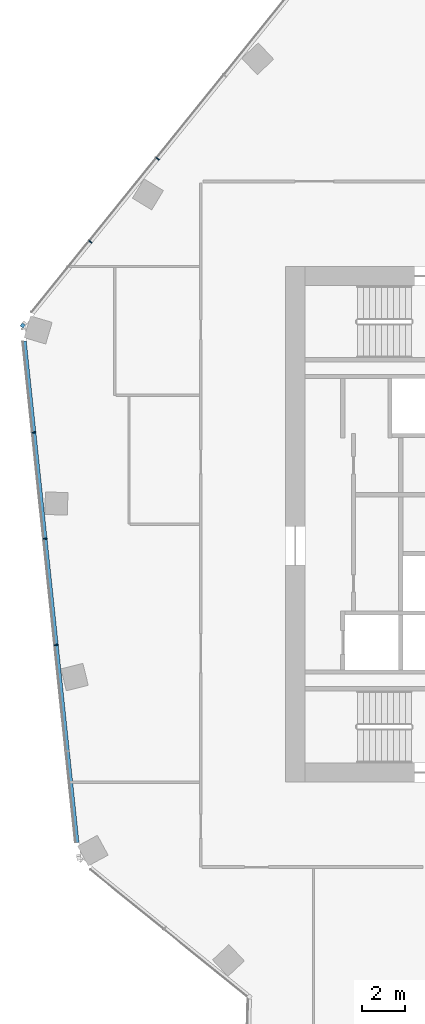
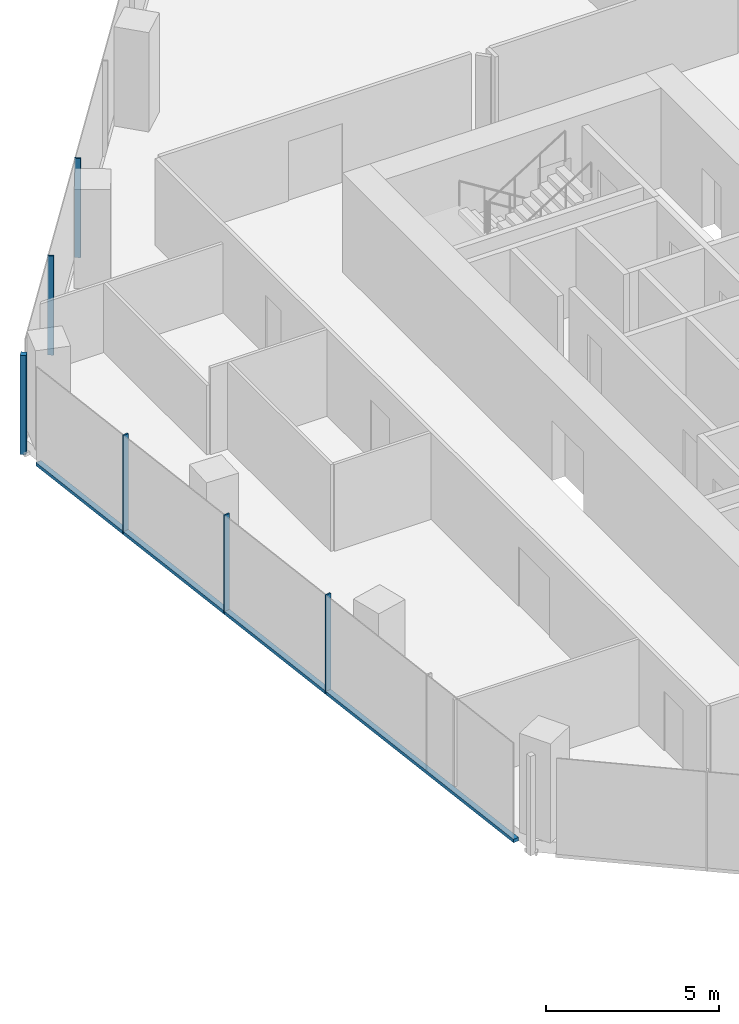
# One storey, part 7 of 23: 7 members, 2 elements without a shape of their own.
"""IFC4 building model written with IfcOpenShell, lengths in metres."""

from ifc_helpers import new_model, si_unit, direction, frame, origin, origin_2d, place, context, subcontext, project, spatial, rectangle, extrude, material, material_profile, profile_set, type_object, element, aggregate, save


model = new_model("IFC4")

# Units and contexts
model_context = context("Model", 3, precision=1e-05, world=origin(), true_north=direction((0.0, 1.0)))
body_context = subcontext(model_context, "Body", "Model", "MODEL_VIEW")
ifc_project = project(units=[si_unit("LENGTHUNIT", "METRE"), si_unit("AREAUNIT", "SQUARE_METRE"), si_unit("VOLUMEUNIT", "CUBIC_METRE"), si_unit("PLANEANGLEUNIT", "RADIAN"), si_unit("MASSUNIT", "GRAM", prefix="KILO")], contexts=[model_context])

# Site, building, storey
site_placement = place(None, origin())
site = spatial("IfcSite", under=ifc_project, at=site_placement, CompositionType="ELEMENT")
building_placement = place(site_placement, origin())
building = spatial("IfcBuilding", under=site, at=building_placement, Name="Orlundy Tower", CompositionType="ELEMENT")
storey_placement = place(building_placement, frame((0.0, 0.0, 221.0)))
storey = spatial("IfcBuildingStorey", under=building, at=storey_placement, Name="L58", CompositionType="ELEMENT", Elevation=221.0)

# Curtain wall, member
ifc_material_1 = material(Name="Aluminium bronze anodised", Category="aluminium")
curtain_wall_type = type_object("IfcCurtainWallType", Name="CW1 wall", PredefinedType="NOTDEFINED", material=ifc_material_1)
curtain_wall_1_placement = place(storey_placement, origin())
curtain_wall_1 = element("IfcCurtainWall", 1, at=curtain_wall_1_placement, inside=storey, type_object=curtain_wall_type, Name="CW1 run 03", PredefinedType="NOTDEFINED")
ifc_material_2 = material(Name="Aluminium bronze anodised", Category="aluminium")
ifc_material_profile_1 = material_profile(ifc_material_2, rectangle(XDim=0.179931640625, YDim=0.179931640625, at=origin_2d()), Name="CW1 corner post 180x180")
ifc_profile_set_1 = profile_set([ifc_material_profile_1], Name="Aluminium bronze anodised")
member_type_1 = type_object("IfcMemberType", Name="CW1 corner post 180x180", PredefinedType="MULLION", material=ifc_profile_set_1)
member_1_placement = place(storey_placement, frame((-31.228515625, 9.249755859375, -0.419921875), z_axis=(0.0, 0.0, 1.0), x_axis=(-0.777145540374, 0.629320911043, 0.0)))
member_1 = element("IfcMember", 2, at=member_1_placement, type_object=member_type_1, Name="CW1 mullion 10", PredefinedType="MULLION", context=body_context, shape_type="SweptSolid", body=[
    extrude(rectangle(XDim=0.179931640625, YDim=0.179931640625, at=origin_2d()), origin(), (0.0, 0.0, 1.0), 3.5),
])

# Curtain wall, members
curtain_wall_2_placement = place(storey_placement, origin())
curtain_wall_2 = element("IfcCurtainWall", 3, at=curtain_wall_2_placement, inside=storey, type_object=curtain_wall_type, Name="CW1 run 02", PredefinedType="NOTDEFINED")
ifc_material_3 = material(Name="Aluminium bronze anodised", Category="aluminium")
ifc_material_profile_2 = material_profile(ifc_material_3, rectangle(XDim=0.179931640625, YDim=0.050048828125, at=origin_2d()), Name="CW1 mullion 50x180")
ifc_profile_set_2 = profile_set([ifc_material_profile_2], Name="Aluminium bronze anodised")
member_type_2 = type_object("IfcMemberType", Name="CW1 mullion 50x180", PredefinedType="MULLION", material=ifc_profile_set_2)
member_2_placement = place(storey_placement, frame((-29.665771484375, -5.616943359375, -0.419921875), z_axis=(0.0, 0.0, 1.0), x_axis=(-0.994520875843, -0.104538162943, 0.0)))
member_2 = element("IfcMember", 4, at=member_2_placement, type_object=member_type_2, Name="CW1 mullion 7", PredefinedType="MULLION", context=body_context, shape_type="SweptSolid", body=[
    extrude(rectangle(XDim=0.179931640625, YDim=0.050048828125, at=origin_2d()), origin(), (0.0, 0.0, 1.0), 3.5),
])
member_3_placement = place(storey_placement, frame((-30.185302734375, -0.673828125, -0.419921875), z_axis=(0.0, 0.0, 1.0), x_axis=(-0.994520875843, -0.104538162943, 0.0)))
member_3 = element("IfcMember", 5, at=member_3_placement, type_object=member_type_2, Name="CW1 mullion 8", PredefinedType="MULLION", context=body_context, shape_type="SweptSolid", body=[
    extrude(rectangle(XDim=0.179931640625, YDim=0.050048828125, at=origin_2d()), origin(), (0.0, 0.0, 1.0), 3.5),
])
member_4_placement = place(storey_placement, frame((-30.704833984375, 4.269287109375, -0.419921875), z_axis=(0.0, 0.0, 1.0), x_axis=(-0.994520875843, -0.104538162943, 0.0)))
member_4 = element("IfcMember", 6, at=member_4_placement, type_object=member_type_2, Name="CW1 mullion 9", PredefinedType="MULLION", context=body_context, shape_type="SweptSolid", body=[
    extrude(rectangle(XDim=0.179931640625, YDim=0.050048828125, at=origin_2d()), origin(), (0.0, 0.0, 1.0), 3.5),
])

# Member
member_5_placement = place(storey_placement, frame((-28.07666015625, 13.1416015625, -0.419921875), z_axis=(0.0, 0.0, 1.0), x_axis=(-0.777145540374, 0.629320911043, 0.0)))
member_5 = element("IfcMember", 7, at=member_5_placement, type_object=member_type_2, Name="CW1 mullion 11", PredefinedType="MULLION", context=body_context, shape_type="SweptSolid", body=[
    extrude(rectangle(XDim=0.179931640625, YDim=0.050048828125, at=origin_2d()), origin(), (0.0, 0.0, 1.0), 3.5),
])

member_6_placement = place(storey_placement, frame((-24.948486328125, 17.004638671875, -0.419921875), z_axis=(0.0, 0.0, 1.0), x_axis=(-0.777145540374, 0.629320911043, 0.0)))
member_6 = element("IfcMember", 8, at=member_6_placement, type_object=member_type_2, Name="CW1 mullion 12", PredefinedType="MULLION", context=body_context, shape_type="SweptSolid", body=[
    extrude(rectangle(XDim=0.179931640625, YDim=0.050048828125, at=origin_2d()), origin(), (0.0, 0.0, 1.0), 3.5),
])

aggregate(curtain_wall_1, [member_1, member_5, member_6])

ifc_material_4 = material(Name="Aluminium bronze anodised", Category="aluminium")
ifc_material_profile_3 = material_profile(ifc_material_4, rectangle(XDim=0.179931640625, YDim=0.1201171875, at=origin_2d()), Name="CW1 transom 180x120")
ifc_profile_set_3 = profile_set([ifc_material_profile_3], Name="Aluminium bronze anodised")
member_type_3 = type_object("IfcMemberType", Name="CW1 transom 180x120", PredefinedType="USERDEFINED", material=ifc_profile_set_3)
member_7_placement = place(storey_placement, frame((-28.698974609375, -14.81396484375, -0.360107421875), z_axis=(-0.10453855847, 0.994520834268, 0.0), x_axis=(-0.994520834268, -0.10453855847, 0.0)))
member_7 = element("IfcMember", 9, at=member_7_placement, type_object=member_type_3, Name="CW1 transom", ObjectType="TRANSOM", PredefinedType="USERDEFINED", context=body_context, shape_type="SweptSolid", body=[
    extrude(rectangle(XDim=0.179931640625, YDim=0.1201171875, at=origin_2d()), origin(), (0.0, 0.0, 1.0), 23.46630859375),
])

aggregate(curtain_wall_2, [member_2, member_3, member_4, member_7])

save(model, "model.ifc")
